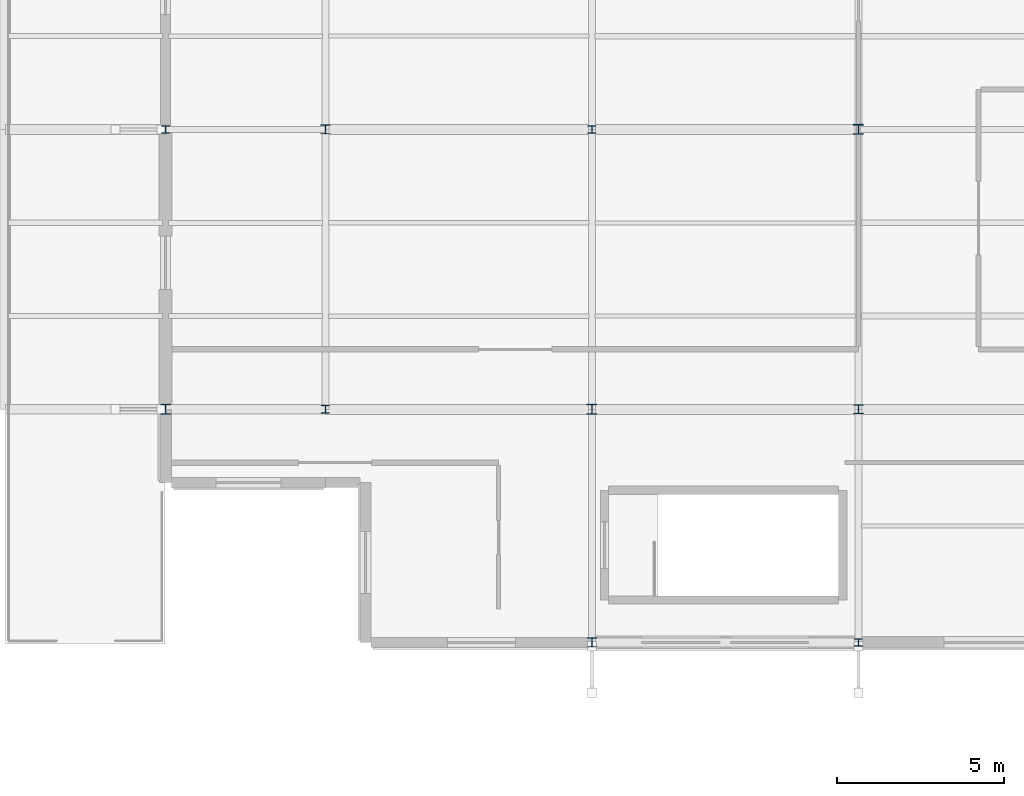
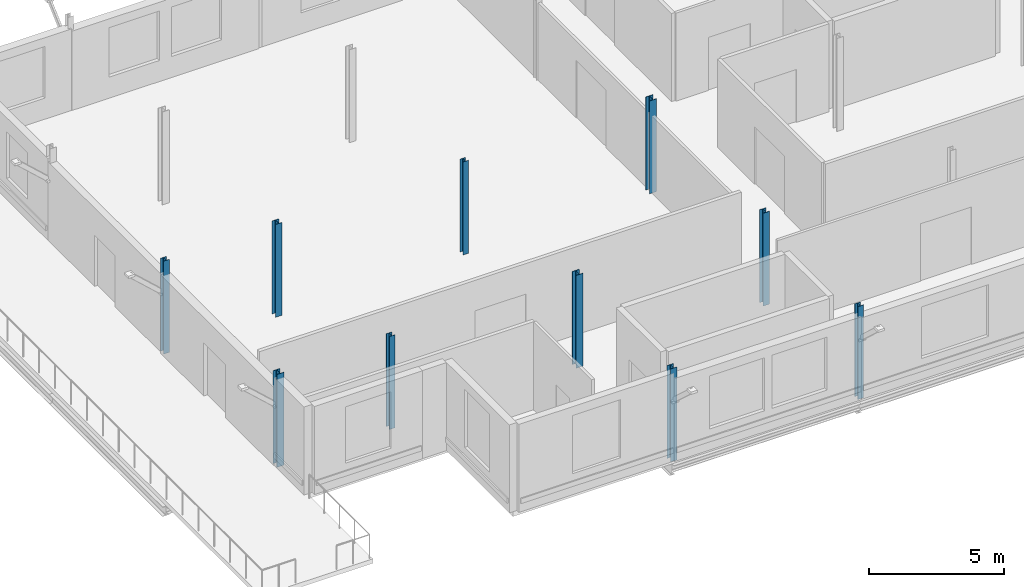
# One storey, part 1 of 93: 10 columns.
"""IFC4 building model written with IfcOpenShell, lengths in metres."""

import ifcopenshell
import ifcopenshell.guid

model = None  # the IFC model being written
_history = None  # IfcOwnerHistory: only IFC2X3 demands one
_inside = {}  # id of a spatial element -> (the spatial element, [elements in it])
_under = {}  # id of a project, library or spatial element -> (it, [spatial elements below it])
_declared = {}  # id of a project -> (the project, [libraries it declares])
_typed = {}  # id of a type object -> (the type object, [elements of that type])
_made_of = {}  # id of a material, layer set ... -> (it, [elements and type objects made of it])


def new_model(schema):
    """Start an empty IFC model of exactly this schema.

    Asked for "IFC4X3", IfcOpenShell would pick the latest addendum, in which some entities
    have other attributes; the version numbers below select the first issue.
    IFC2X3 requires an IfcOwnerHistory on every rooted entity: one is made here for all.
    """
    global model, _history
    if schema == "IFC4X3":
        model = ifcopenshell.file(schema_version=(4, 3, 0, 0))
    else:
        model = ifcopenshell.file(schema=schema)
    _inside.clear()
    _under.clear()
    _declared.clear()
    _typed.clear()
    _made_of.clear()
    _history = None
    if model.schema == "IFC2X3":
        org = make("IfcOrganization", Name="unknown")
        user = make(
            "IfcPersonAndOrganization",
            ThePerson=make("IfcPerson", FamilyName="unknown"),
            TheOrganization=org,
        )
        app = make(
            "IfcApplication",
            ApplicationDeveloper=org,
            Version="unknown",
            ApplicationFullName="unknown",
            ApplicationIdentifier="unknown",
        )
        _history = make(
            "IfcOwnerHistory",
            OwningUser=user,
            OwningApplication=app,
            ChangeAction="ADDED",
            CreationDate=0,
        )
    return model


def make(cls, **values):
    """One entity of the class cls with the attributes given. An attribute that is None is left unset."""
    return model.create_entity(
        cls, **{name: value for name, value in values.items() if value is not None}
    )


def rooted(cls, **values):
    """An entity with a GlobalId (a new one), such as an element, a storey or a relation."""
    return make(cls, GlobalId=ifcopenshell.guid.new(), OwnerHistory=_history, **values)


def si_unit(unit_type, name, prefix=None):
    """IfcSIUnit, for example si_unit("LENGTHUNIT", "METRE", prefix="MILLI")."""
    return make("IfcSIUnit", UnitType=unit_type, Prefix=prefix, Name=name)


def assignment(units):
    """IfcUnitAssignment: the units of a project."""
    return None if units is None else make("IfcUnitAssignment", Units=units)


def point(xyz):
    """IfcCartesianPoint."""
    return None if xyz is None else make("IfcCartesianPoint", Coordinates=xyz)


def direction(xyz):
    """IfcDirection."""
    return None if xyz is None else make("IfcDirection", DirectionRatios=xyz)


def frame(location, z_axis=None, x_axis=None):
    """IfcAxis2Placement3D, a coordinate frame: its origin and axes. An axis left out is left unset."""
    return make(
        "IfcAxis2Placement3D",
        Location=point(location),
        Axis=direction(z_axis),
        RefDirection=direction(x_axis),
    )


def frame_2d(location, x_axis=None):
    """IfcAxis2Placement2D, a coordinate frame in the plane: its origin and x axis."""
    return make(
        "IfcAxis2Placement2D", Location=point(location), RefDirection=direction(x_axis)
    )


def origin():
    """The frame at (0, 0, 0) with its axes left unset."""
    return frame((0.0, 0.0, 0.0))


def origin_2d():
    """The frame at (0, 0) in the plane with its x axis left unset."""
    return frame_2d((0.0, 0.0))


def place(relative_to, where):
    """IfcLocalPlacement: puts the frame where relative to a parent placement (None: the world)."""
    return make(
        "IfcLocalPlacement", PlacementRelTo=relative_to, RelativePlacement=where
    )


def context(
    kind, dimensions, precision=None, world=None, true_north=None, identifier=None
):
    """IfcGeometricRepresentationContext, for example the 3D "Model" context."""
    return make(
        "IfcGeometricRepresentationContext",
        ContextIdentifier=identifier,
        ContextType=kind,
        CoordinateSpaceDimension=dimensions,
        Precision=precision,
        WorldCoordinateSystem=world,
        TrueNorth=true_north,
    )


def subcontext(parent, identifier, kind, view, scale=None):
    """IfcGeometricRepresentationSubContext, for example "Body" below "Model"."""
    return make(
        "IfcGeometricRepresentationSubContext",
        ContextIdentifier=identifier,
        ContextType=kind,
        ParentContext=parent,
        TargetScale=scale,
        TargetView=view,
    )


def project(units=None, contexts=None):
    """IfcProject with its units and contexts."""
    return rooted(
        "IfcProject",
        Name="project",
        RepresentationContexts=contexts,
        UnitsInContext=assignment(units),
    )


def spatial(cls, under=None, at=None, **own):
    """A site, building, storey or space (cls), placed at a placement, below another one or the project."""
    s = rooted(cls, ObjectPlacement=at, **own)
    if under is not None:
        _under.setdefault(under.id(), (under, []))[1].append(s)
    return s


def profile(cls, at=None, kind="AREA", **sizes):
    """A parametric profile (cls). Its sizes go by their IFC names, for example OverallWidth=200.0."""
    return make(cls, ProfileType=kind, Position=at, **sizes)


def i_section(**sizes):
    """IfcIShapeProfileDef."""
    return profile("IfcIShapeProfileDef", **sizes)


def extrude(swept, where, along, depth):
    """IfcExtrudedAreaSolid: the profile swept, set in the frame where, extruded along a direction by depth."""
    return make(
        "IfcExtrudedAreaSolid",
        SweptArea=swept,
        Position=where,
        ExtrudedDirection=direction(along),
        Depth=depth,
    )


def shape(context_of_items, identifier, shape_type, items):
    """IfcShapeRepresentation: the items that make up one representation, for example the "Body"."""
    return make(
        "IfcShapeRepresentation",
        ContextOfItems=context_of_items,
        RepresentationIdentifier=identifier,
        RepresentationType=shape_type,
        Items=items,
    )


def material(Name=None, Category=None):
    """IfcMaterial."""
    return make("IfcMaterial", Name=Name, Category=Category)


def material_profile(
    of_material, cross_section, Name=None, Category=None, Priority=None
):
    """IfcMaterialProfile: a cross section and its material."""
    return make(
        "IfcMaterialProfile",
        Name=Name,
        Material=of_material,
        Profile=cross_section,
        Priority=Priority,
        Category=Category,
    )


def profile_set(profiles, Name=None, composite=None):
    """IfcMaterialProfileSet."""
    return make(
        "IfcMaterialProfileSet",
        Name=Name,
        MaterialProfiles=profiles,
        CompositeProfile=composite,
    )


def made_of(thing, what):
    """Note that an element or type object is made of a material, layer set ...; save() writes the relation."""
    if what is not None:
        _made_of.setdefault(what.id(), (what, []))[1].append(thing)
    return thing


def type_object(cls, material=None, **own):
    """A type object (cls), such as IfcWallType, which elements share."""
    return made_of(rooted(cls, **own), material)


def element(
    cls,
    number,
    at=None,
    inside=None,
    cuts=None,
    type_object=None,
    material=None,
    context=None,
    identifier="Body",
    shape_type=None,
    held_by="IfcProductDefinitionShape",
    body=None,
    shapes=None,
    **own,
):
    """One element of the class cls, such as IfcWall. Its Tag is "e" and its number.

    at: its placement. inside: the storey or other place that contains it. cuts: it is an
    opening in that element (IfcRelVoidsElement). A single representation is given by context,
    identifier, shape_type and body (its items); several are given by shapes. held_by: the class
    of the entity that holds the representations. save() writes the other relations.
    """
    e = rooted(cls, Tag="e%d" % number, ObjectPlacement=at, **own)
    if body is not None:
        shapes = [shape(context, identifier, shape_type, body)]
    if shapes is not None:
        e.Representation = make(held_by, Representations=shapes)
    if inside is not None:
        _inside.setdefault(inside.id(), (inside, []))[1].append(e)
    if cuts is not None:
        rooted(
            "IfcRelVoidsElement", RelatingBuildingElement=cuts, RelatedOpeningElement=e
        )
    if type_object is not None:
        _typed.setdefault(type_object.id(), (type_object, []))[1].append(e)
    return made_of(e, material)


def aggregate(whole, parts):
    """IfcRelAggregates: a whole, such as a stair, and the parts it consists of."""
    return rooted("IfcRelAggregates", RelatingObject=whole, RelatedObjects=parts)


def save(model, path):
    """Write the relations noted so far, then the file.

    IfcRelAggregates (storeys below a building ...), IfcRelContainedInSpatialStructure (elements
    in a storey), IfcRelDefinesByType, IfcRelAssociatesMaterial and IfcRelDeclares: one each for
    every whole, place, type object, material and project.
    """
    for whole, parts in _under.values():
        aggregate(whole, parts)
    for where, things in _inside.values():
        rooted(
            "IfcRelContainedInSpatialStructure",
            RelatedElements=things,
            RelatingStructure=where,
        )
    for kind, things in _typed.values():
        rooted("IfcRelDefinesByType", RelatedObjects=things, RelatingType=kind)
    for what, things in _made_of.values():
        rooted("IfcRelAssociatesMaterial", RelatedObjects=things, RelatingMaterial=what)
    for by, libraries in _declared.values():
        rooted("IfcRelDeclares", RelatingContext=by, RelatedDefinitions=libraries)
    model.write(path)


model = new_model("IFC4")

# Units and contexts
model_context = context("Model", 3, precision=1e-05, world=origin(), true_north=direction((0.0, 1.0)))
body_context = subcontext(model_context, "Body", "Model", "MODEL_VIEW")
ifc_project = project(units=[si_unit("LENGTHUNIT", "METRE"), si_unit("AREAUNIT", "SQUARE_METRE"), si_unit("VOLUMEUNIT", "CUBIC_METRE"), si_unit("PLANEANGLEUNIT", "RADIAN"), si_unit("MASSUNIT", "GRAM", prefix="KILO")], contexts=[model_context])

# Site, building, storey
site_placement = place(None, origin())
site = spatial("IfcSite", under=ifc_project, at=site_placement, CompositionType="ELEMENT")
building_placement = place(site_placement, origin())
building = spatial("IfcBuilding", under=site, at=building_placement, Name="Vekula Escarpment Museum", CompositionType="ELEMENT")
storey_placement = place(building_placement, frame((0.0, 0.0, 22.199951171875)))
storey = spatial("IfcBuildingStorey", under=building, at=storey_placement, Name="L05", CompositionType="ELEMENT", Elevation=22.199951171875)

# Columns
ifc_material_1 = material(Name="Steel S355", Category="steel")
ifc_material_profile_1 = material_profile(ifc_material_1, i_section(OverallWidth=0.239990234375, OverallDepth=0.22998046875, WebThickness=0.007568359375, FlangeThickness=0.011962890625, FilletRadius=0.02099609375, at=origin_2d()), Name="HEA 240")
ifc_profile_set_1 = profile_set([ifc_material_profile_1], Name="Steel S355")
column_type_1 = type_object("IfcColumnType", Name="COL-S-HEA240", PredefinedType="COLUMN", material=ifc_profile_set_1)
for number, where, z_axis, x_axis, name in (
    (1, (19.199951171875, 68.0, 0.0), (0.0, 0.0, 1.0), (1.0, 0.0, 0.0), "Column L05 (19.2,68.0)"),
    (2, (24.0, 59.60009765625, 0.0), (0.0, 0.0, 1.0), (1.0, 0.0, 0.0), "Column L05 (24.0,59.6)"),
    (3, (32.0, 68.0, 0.0), (0.0, 0.0, 1.0), (1.0, 0.0, 0.0), "Column L05 (32.0,68.0)"),
    (4, (40.0, 52.60009765625, 0.0), (0.0, 0.0, 1.0), (1.0, 0.0, 0.0), "Column L05 (40.0,52.6)"),
):
    element("IfcColumn", number, at=place(storey_placement, frame(where, z_axis=z_axis, x_axis=x_axis)), inside=storey, type_object=column_type_1, Name=name, PredefinedType="COLUMN", context=body_context, shape_type="SweptSolid", body=[
        extrude(i_section(OverallWidth=0.239990234375, OverallDepth=0.22998046875, WebThickness=0.007568359375, FlangeThickness=0.011962890625, FilletRadius=0.02099609375, at=origin_2d()), origin(), (0.0, 0.0, 1.0), 4.199951171875),
    ])
ifc_material_2 = material(Name="Steel S355", Category="steel")
ifc_material_profile_2 = material_profile(ifc_material_2, i_section(OverallWidth=0.280029296875, OverallDepth=0.27001953125, WebThickness=0.008056640625, FlangeThickness=0.012939453125, FilletRadius=0.02392578125, at=origin_2d()), Name="HEA 280")
ifc_profile_set_2 = profile_set([ifc_material_profile_2], Name="Steel S355")
column_type_2 = type_object("IfcColumnType", Name="COL-S-HEA280", PredefinedType="COLUMN", material=ifc_profile_set_2)
for number, where, z_axis, x_axis, name in (
    (5, (24.0, 68.0, 0.0), (0.0, 0.0, 1.0), (1.0, 0.0, 0.0), "Column L05 (24.0,68.0)"),
    (6, (32.0, 52.60009765625, 0.0), (0.0, 0.0, 1.0), (1.0, 0.0, 0.0), "Column L05 (32.0,52.6)"),
    (7, (40.0, 59.60009765625, 0.0), (0.0, 0.0, 1.0), (1.0, 0.0, 0.0), "Column L05 (40.0,59.6)"),
):
    element("IfcColumn", number, at=place(storey_placement, frame(where, z_axis=z_axis, x_axis=x_axis)), inside=storey, type_object=column_type_2, Name=name, PredefinedType="COLUMN", context=body_context, shape_type="SweptSolid", body=[
        extrude(i_section(OverallWidth=0.280029296875, OverallDepth=0.27001953125, WebThickness=0.008056640625, FlangeThickness=0.012939453125, FilletRadius=0.02392578125, at=origin_2d()), origin(), (0.0, 0.0, 1.0), 4.199951171875),
    ])
ifc_material_3 = material(Name="Steel S355", Category="steel")
ifc_material_profile_3 = material_profile(ifc_material_3, i_section(OverallWidth=0.300048828125, OverallDepth=0.300048828125, WebThickness=0.010986328125, FlangeThickness=0.01904296875, FilletRadius=0.027099609375, at=origin_2d()), Name="HEB 300")
ifc_profile_set_3 = profile_set([ifc_material_profile_3], Name="Steel S355")
column_type_3 = type_object("IfcColumnType", Name="COL-S-HEB300", PredefinedType="COLUMN", material=ifc_profile_set_3)
for number, where, z_axis, x_axis, name in (
    (8, (19.199951171875, 59.60009765625, 0.0), (0.0, 0.0, 1.0), (1.0, 0.0, 0.0), "Column L05 (19.2,59.6)"),
    (9, (32.0, 59.60009765625, 0.0), (0.0, 0.0, 1.0), (1.0, 0.0, 0.0), "Column L05 (32.0,59.6)"),
    (10, (40.0, 68.0, 0.0), (0.0, 0.0, 1.0), (1.0, 0.0, 0.0), "Column L05 (40.0,68.0)"),
):
    element("IfcColumn", number, at=place(storey_placement, frame(where, z_axis=z_axis, x_axis=x_axis)), inside=storey, type_object=column_type_3, Name=name, PredefinedType="COLUMN", context=body_context, shape_type="SweptSolid", body=[
        extrude(i_section(OverallWidth=0.300048828125, OverallDepth=0.300048828125, WebThickness=0.010986328125, FlangeThickness=0.01904296875, FilletRadius=0.027099609375, at=origin_2d()), origin(), (0.0, 0.0, 1.0), 4.199951171875),
    ])

save(model, "model.ifc")
